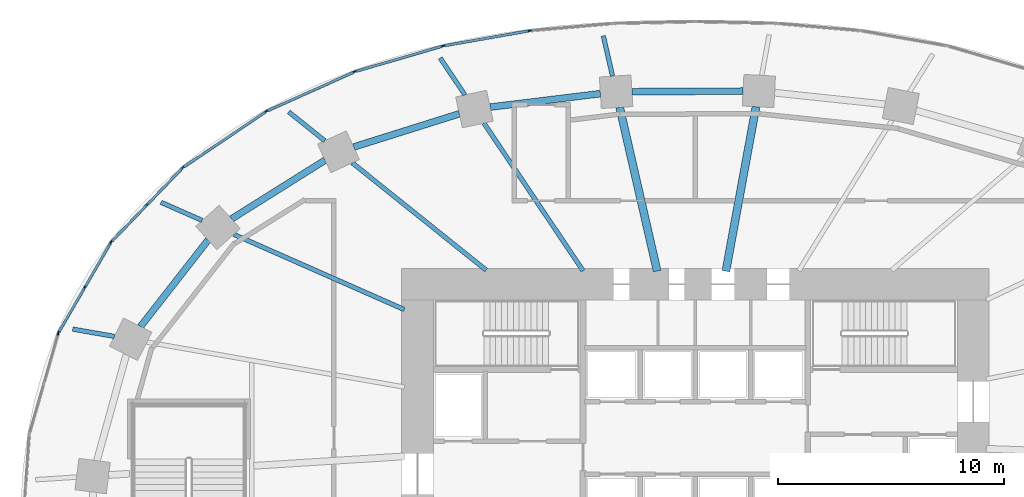
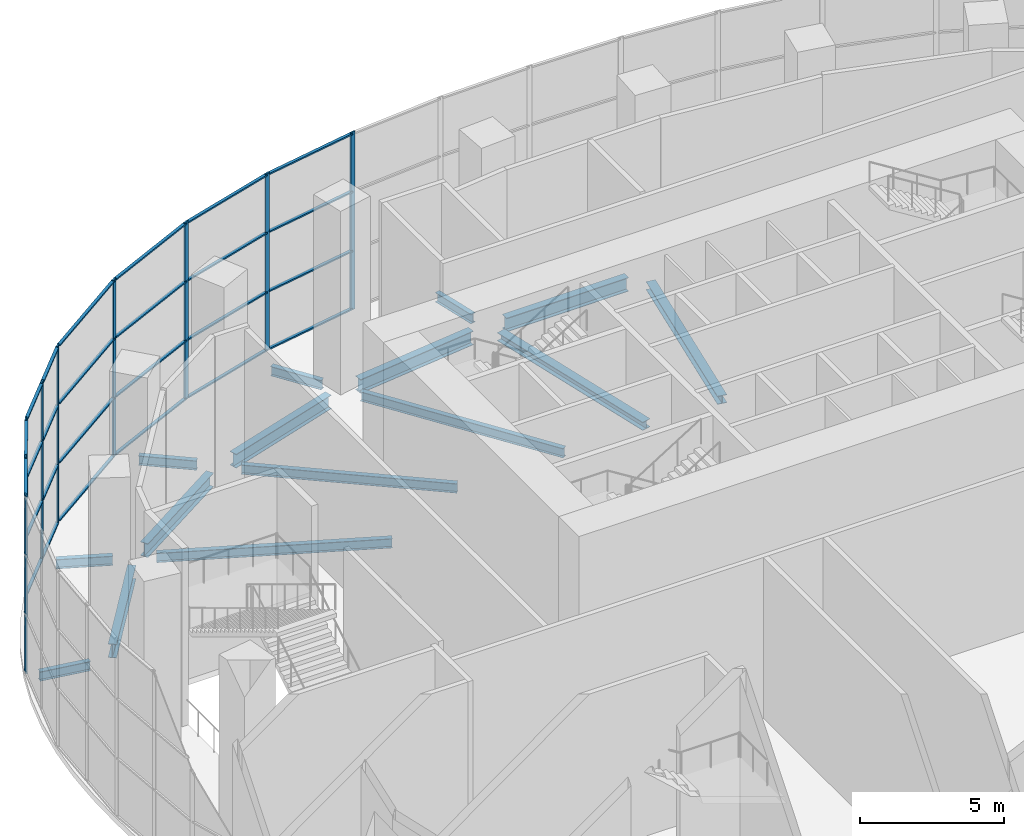
# One storey, part 7 of 22: 41 members, 15 beams, 7 elements without a shape of their own.
"""IFC4 building model written with IfcOpenShell, lengths in metres."""

from ifc_helpers import new_model, si_unit, direction, frame, origin, origin_2d, place, context, subcontext, project, spatial, rectangle, i_section, extrude, material, material_profile, profile_set, type_object, element, aggregate, save


model = new_model("IFC4")

# Units and contexts
model_context = context("Model", 3, precision=1e-05, world=origin(), true_north=direction((0.0, 1.0)))
body_context = subcontext(model_context, "Body", "Model", "MODEL_VIEW")
ifc_project = project(units=[si_unit("LENGTHUNIT", "METRE"), si_unit("AREAUNIT", "SQUARE_METRE"), si_unit("VOLUMEUNIT", "CUBIC_METRE"), si_unit("PLANEANGLEUNIT", "RADIAN"), si_unit("MASSUNIT", "GRAM", prefix="KILO")], contexts=[model_context])

# Site, building, storey
site_placement = place(None, origin())
site = spatial("IfcSite", under=ifc_project, at=site_placement, CompositionType="ELEMENT")
building_placement = place(site_placement, origin())
building = spatial("IfcBuilding", under=site, at=building_placement, Name="Rubra Terraces Tower", CompositionType="ELEMENT")
storey_placement = place(building_placement, frame((0.0, 0.0, 7.199951171875)))
storey = spatial("IfcBuildingStorey", under=building, at=storey_placement, Name="L01", CompositionType="ELEMENT", Elevation=7.199951171875)

# Beams
ifc_material_1 = material(Name="Steel Q355B", Category="steel")
ifc_material_profile_1 = material_profile(ifc_material_1, i_section(OverallWidth=0.199951171875, OverallDepth=0.39990234375, WebThickness=0.008056640625, FlangeThickness=0.012939453125, at=origin_2d()), Name="HN 400x200x8x13")
ifc_profile_set_1 = profile_set([ifc_material_profile_1], Name="Steel Q355B")
beam_type_1 = type_object("IfcBeamType", Name="CANTILEVER BEAM HN 400x200x8x13", PredefinedType="BEAM", material=ifc_profile_set_1)
beam_1_placement = place(storey_placement, frame((-3.6669921875, 20.514892578125, -0.449951171875), z_axis=(-0.223175715845, 0.974778231116, 0.0), x_axis=(-0.974778231116, -0.223175715845, 0.0)))
element("IfcBeam", 1, at=beam_1_placement, inside=storey, type_object=beam_type_1, Name="beam-L01-cant-07", PredefinedType="BEAM", context=body_context, shape_type="SweptSolid", body=[
    extrude(i_section(OverallWidth=0.199951171875, OverallDepth=0.39990234375, WebThickness=0.008056640625, FlangeThickness=0.012939453125, at=origin_2d()), origin(), (0.0, 0.0, 1.0), 1.832275390625),
])
beam_2_placement = place(storey_placement, frame((-10.199951171875, 19.68310546875, -0.449951171875), z_axis=(-0.557732327532, 0.830020873729, 0.0), x_axis=(-0.830020873729, -0.557732327532, 0.0)))
element("IfcBeam", 2, at=beam_2_placement, inside=storey, type_object=beam_type_1, Name="beam-L01-cant-08", PredefinedType="BEAM", context=body_context, shape_type="SweptSolid", body=[
    extrude(i_section(OverallWidth=0.199951171875, OverallDepth=0.39990234375, WebThickness=0.008056640625, FlangeThickness=0.012939453125, at=origin_2d()), origin(), (0.0, 0.0, 1.0), 1.96728515625),
])
beam_3_placement = place(storey_placement, frame((-16.408935546875, 17.654052734375, -0.449951171875), z_axis=(-0.780088162003, 0.625669608901, 0.0), x_axis=(-0.625669608901, -0.780088162003, 0.0)))
element("IfcBeam", 3, at=beam_3_placement, inside=storey, type_object=beam_type_1, Name="beam-L01-cant-09", PredefinedType="BEAM", context=body_context, shape_type="SweptSolid", body=[
    extrude(i_section(OverallWidth=0.199951171875, OverallDepth=0.39990234375, WebThickness=0.008056640625, FlangeThickness=0.012939453125, at=origin_2d()), origin(), (0.0, 0.0, 1.0), 2.0458984375),
])
beam_4_placement = place(storey_placement, frame((-21.8369140625, 14.1259765625, -0.449951171875), z_axis=(-0.914937817451, 0.403594834205, 0.0), x_axis=(-0.403594834205, -0.914937817451, 0.0)))
element("IfcBeam", 4, at=beam_4_placement, inside=storey, type_object=beam_type_1, Name="beam-L01-cant-10", PredefinedType="BEAM", context=body_context, shape_type="SweptSolid", body=[
    extrude(i_section(OverallWidth=0.199951171875, OverallDepth=0.39990234375, WebThickness=0.008056640625, FlangeThickness=0.012939453125, at=origin_2d()), origin(), (0.0, 0.0, 1.0), 1.987060546875),
])
beam_5_placement = place(storey_placement, frame((-25.722900390625, 8.991943359375, -0.449951171875), z_axis=(-0.985091859612, 0.172029149057, 0.0), x_axis=(-0.172029149057, -0.985091859612, 0.0)))
element("IfcBeam", 5, at=beam_5_placement, inside=storey, type_object=beam_type_1, Name="beam-L01-cant-11", PredefinedType="BEAM", context=body_context, shape_type="SweptSolid", body=[
    extrude(i_section(OverallWidth=0.199951171875, OverallDepth=0.39990234375, WebThickness=0.008056640625, FlangeThickness=0.012939453125, at=origin_2d()), origin(), (0.0, 0.0, 1.0), 1.871826171875),
])
ifc_material_profile_2 = material_profile(ifc_material_1, i_section(OverallWidth=0.199951171875, OverallDepth=0.39990234375, WebThickness=0.008056640625, FlangeThickness=0.012939453125, at=origin_2d()), Name="HN 400x200x8x13")
ifc_profile_set_2 = profile_set([ifc_material_profile_2], Name="Steel Q355B")
beam_type_2 = type_object("IfcBeamType", Name="FLOOR BEAM HN 400x200x8x13", PredefinedType="BEAM", material=ifc_profile_set_2)
beam_6_placement = place(storey_placement, frame((-9.360107421875, 18.43310546875, -0.449951171875), z_axis=(0.557574689395, -0.830126776912, 0.0), x_axis=(0.830126776912, 0.557574689395, 0.0)))
element("IfcBeam", 6, at=beam_6_placement, inside=storey, type_object=beam_type_2, Name="beam-L01-floor-08", PredefinedType="BEAM", context=body_context, shape_type="SweptSolid", body=[
    extrude(i_section(OverallWidth=0.199951171875, OverallDepth=0.39990234375, WebThickness=0.008056640625, FlangeThickness=0.012939453125, at=origin_2d()), origin(), (0.0, 0.0, 1.0), 7.8701171875),
])
beam_7_placement = place(storey_placement, frame((-15.18896484375, 16.676025390625, -0.449951171875), z_axis=(0.780266406942, -0.625447307291, 0.0), x_axis=(0.625447307291, 0.780266406942, 0.0)))
element("IfcBeam", 7, at=beam_7_placement, inside=storey, type_object=beam_type_2, Name="beam-L01-floor-09", PredefinedType="BEAM", context=body_context, shape_type="SweptSolid", body=[
    extrude(i_section(OverallWidth=0.199951171875, OverallDepth=0.39990234375, WebThickness=0.008056640625, FlangeThickness=0.012939453125, at=origin_2d()), origin(), (0.0, 0.0, 1.0), 7.59619140625),
])
beam_8_placement = place(storey_placement, frame((-20.43310546875, 13.508056640625, -0.449951171875), z_axis=(0.914994662209, -0.4034659442, 0.0), x_axis=(0.4034659442, 0.914994662209, 0.0)))
element("IfcBeam", 8, at=beam_8_placement, inside=storey, type_object=beam_type_2, Name="beam-L01-floor-10", PredefinedType="BEAM", context=body_context, shape_type="SweptSolid", body=[
    extrude(i_section(OverallWidth=0.199951171875, OverallDepth=0.39990234375, WebThickness=0.008056640625, FlangeThickness=0.012939453125, at=origin_2d()), origin(), (0.0, 0.0, 1.0), 8.243896484375),
])
ifc_material_profile_3 = material_profile(ifc_material_1, i_section(OverallWidth=0.35009765625, OverallDepth=0.35009765625, WebThickness=0.011962890625, FlangeThickness=0.01904296875, at=origin_2d()), Name="HW 350x350x12x19")
ifc_profile_set_3 = profile_set([ifc_material_profile_3], Name="Steel Q355B")
beam_type_3 = type_object("IfcBeamType", Name="FLOOR BEAM HW 350x350x12x19", PredefinedType="BEAM", material=ifc_profile_set_3)
beam_9_placement = place(storey_placement, frame((2.68408203125, 19.158935546875, -0.425048828125), z_axis=(-0.180186319425, -0.983632497578, 0.0), x_axis=(0.983632497578, -0.180186319425, 0.0)))
element("IfcBeam", 9, at=beam_9_placement, inside=storey, type_object=beam_type_3, Name="beam-L01-floor-06", PredefinedType="BEAM", context=body_context, shape_type="SweptSolid", body=[
    extrude(i_section(OverallWidth=0.35009765625, OverallDepth=0.35009765625, WebThickness=0.011962890625, FlangeThickness=0.01904296875, at=origin_2d()), origin(), (0.0, 0.0, 1.0), 7.39794921875),
])
beam_10_placement = place(storey_placement, frame((-3.35107421875, 19.133056640625, -0.425048828125), z_axis=(0.223209821828, -0.974770421914, 0.0), x_axis=(0.974770421914, 0.223209821828, 0.0)))
element("IfcBeam", 10, at=beam_10_placement, inside=storey, type_object=beam_type_3, Name="beam-L01-floor-07", PredefinedType="BEAM", context=body_context, shape_type="SweptSolid", body=[
    extrude(i_section(OverallWidth=0.35009765625, OverallDepth=0.35009765625, WebThickness=0.011962890625, FlangeThickness=0.01904296875, at=origin_2d()), origin(), (0.0, 0.0, 1.0), 7.437744140625),
])

# Curtain wall, member
ifc_material_2 = material(Name="Aluminium and glass", Category="aluminium")
curtain_wall_type = type_object("IfcCurtainWallType", Name="Curtain wall Podium glazing", PredefinedType="NOTDEFINED", material=ifc_material_2)
curtain_wall_1_placement = place(storey_placement, origin())
curtain_wall_1 = element("IfcCurtainWall", 11, at=curtain_wall_1_placement, inside=storey, type_object=curtain_wall_type, Name="L01 glazing bay 13", PredefinedType="NOTDEFINED")
ifc_material_3 = material(Name="Aluminium, anodised dark grey", Category="aluminium")
ifc_material_profile_4 = material_profile(ifc_material_3, rectangle(XDim=0.06005859375, YDim=0.199951171875, at=origin_2d()), Name="AL 60x200")
ifc_profile_set_4 = profile_set([ifc_material_profile_4], Name="Aluminium, anodised dark grey")
member_type_1 = type_object("IfcMemberType", Name="Podium glazing mullion 60 x 200", PredefinedType="MULLION", material=ifc_profile_set_4)
member_1_placement = place(storey_placement, frame((-7.359619140625, 22.52099609375, 0.0), z_axis=(0.0, 0.0, 1.0), x_axis=(0.172816985997, -0.984953952909, 0.0)))
member_1 = element("IfcMember", 12, at=member_1_placement, type_object=member_type_1, Name="CW1 mullion 1", PredefinedType="MULLION", context=body_context, shape_type="SweptSolid", body=[
    extrude(rectangle(XDim=0.06005859375, YDim=0.199951171875, at=origin_2d()), origin(), (0.0, 0.0, 1.0), 7.550048828125),
])

curtain_wall_2_placement = place(storey_placement, origin())
curtain_wall_2 = element("IfcCurtainWall", 13, at=curtain_wall_2_placement, inside=storey, type_object=curtain_wall_type, Name="L01 glazing bay 14", PredefinedType="NOTDEFINED")
member_2_placement = place(storey_placement, frame((-11.180908203125, 21.84765625, 0.0), z_axis=(0.0, 0.0, 1.0), x_axis=(0.279399200229, -0.96017502931, 0.0)))
member_2 = element("IfcMember", 14, at=member_2_placement, type_object=member_type_1, Name="CW1 mullion 1", PredefinedType="MULLION", context=body_context, shape_type="SweptSolid", body=[
    extrude(rectangle(XDim=0.06005859375, YDim=0.199951171875, at=origin_2d()), origin(), (0.0, 0.0, 1.0), 7.550048828125),
])

curtain_wall_3_placement = place(storey_placement, origin())
curtain_wall_3 = element("IfcCurtainWall", 15, at=curtain_wall_3_placement, inside=storey, type_object=curtain_wall_type, Name="L01 glazing bay 15", PredefinedType="NOTDEFINED")
member_3_placement = place(storey_placement, frame((-15.09765625, 20.704345703125, 0.0), z_axis=(0.0, 0.0, 1.0), x_axis=(0.4089624427, -0.912551215254, 0.0)))
member_3 = element("IfcMember", 16, at=member_3_placement, type_object=member_type_1, Name="CW1 mullion 1", PredefinedType="MULLION", context=body_context, shape_type="SweptSolid", body=[
    extrude(rectangle(XDim=0.06005859375, YDim=0.199951171875, at=origin_2d()), origin(), (0.0, 0.0, 1.0), 7.550048828125),
])

curtain_wall_4_placement = place(storey_placement, origin())
curtain_wall_4 = element("IfcCurtainWall", 17, at=curtain_wall_4_placement, inside=storey, type_object=curtain_wall_type, Name="L01 glazing bay 16", PredefinedType="NOTDEFINED")
member_4_placement = place(storey_placement, frame((-19.009033203125, 18.947021484375, 0.0), z_axis=(0.0, 0.0, 1.0), x_axis=(0.55927727939, -0.828980654031, 0.0)))
member_4 = element("IfcMember", 18, at=member_4_placement, type_object=member_type_1, Name="CW1 mullion 1", PredefinedType="MULLION", context=body_context, shape_type="SweptSolid", body=[
    extrude(rectangle(XDim=0.06005859375, YDim=0.199951171875, at=origin_2d()), origin(), (0.0, 0.0, 1.0), 7.550048828125),
])

# Curtain wall, members
curtain_wall_5_placement = place(storey_placement, origin())
curtain_wall_5 = element("IfcCurtainWall", 19, at=curtain_wall_5_placement, inside=storey, type_object=curtain_wall_type, Name="L01 glazing bay 17", PredefinedType="NOTDEFINED")
member_5_placement = place(storey_placement, frame((-22.705810546875, 16.447265625, 0.0), z_axis=(0.0, 0.0, 1.0), x_axis=(0.71982488517, -0.69415569917, 0.0)))
member_5 = element("IfcMember", 20, at=member_5_placement, type_object=member_type_1, Name="CW1 mullion 1", PredefinedType="MULLION", context=body_context, shape_type="SweptSolid", body=[
    extrude(rectangle(XDim=0.06005859375, YDim=0.199951171875, at=origin_2d()), origin(), (0.0, 0.0, 1.0), 7.550048828125),
])
member_6_placement = place(storey_placement, frame((-24.280517578125, 14.814453125, 0.0), z_axis=(0.0, 0.0, 1.0), x_axis=(0.71982488517, -0.69415569917, 0.0)))
member_6 = element("IfcMember", 21, at=member_6_placement, type_object=member_type_1, Name="CW1 mullion 2", PredefinedType="MULLION", context=body_context, shape_type="SweptSolid", body=[
    extrude(rectangle(XDim=0.06005859375, YDim=0.199951171875, at=origin_2d()), origin(), (0.0, 0.0, 1.0), 7.550048828125),
])

curtain_wall_6_placement = place(storey_placement, origin())
curtain_wall_6 = element("IfcCurtainWall", 22, at=curtain_wall_6_placement, inside=storey, type_object=curtain_wall_type, Name="L01 glazing bay 18", PredefinedType="NOTDEFINED")
member_7_placement = place(storey_placement, frame((-25.880126953125, 13.1484375, 0.0), z_axis=(0.0, 0.0, 1.0), x_axis=(0.864813011398, -0.502094070187, 0.0)))
member_7 = element("IfcMember", 23, at=member_7_placement, type_object=member_type_1, Name="CW1 mullion 1", PredefinedType="MULLION", context=body_context, shape_type="SweptSolid", body=[
    extrude(rectangle(XDim=0.06005859375, YDim=0.199951171875, at=origin_2d()), origin(), (0.0, 0.0, 1.0), 7.550048828125),
])
member_8_placement = place(storey_placement, frame((-27.0341796875, 11.160888671875, 0.0), z_axis=(0.0, 0.0, 1.0), x_axis=(0.864813011398, -0.502094070187, 0.0)))
member_8 = element("IfcMember", 24, at=member_8_placement, type_object=member_type_1, Name="CW1 mullion 2", PredefinedType="MULLION", context=body_context, shape_type="SweptSolid", body=[
    extrude(rectangle(XDim=0.06005859375, YDim=0.199951171875, at=origin_2d()), origin(), (0.0, 0.0, 1.0), 7.550048828125),
])

# Curtain wall, member
curtain_wall_7_placement = place(storey_placement, origin())
curtain_wall_7 = element("IfcCurtainWall", 25, at=curtain_wall_7_placement, inside=storey, type_object=curtain_wall_type, Name="L01 glazing bay 19", PredefinedType="NOTDEFINED")
member_9_placement = place(storey_placement, frame((-28.2041015625, 9.135498046875, 0.0), z_axis=(0.0, 0.0, 1.0), x_axis=(0.961047339404, -0.276383811798, 0.0)))
member_9 = element("IfcMember", 26, at=member_9_placement, type_object=member_type_1, Name="CW1 mullion 1", PredefinedType="MULLION", context=body_context, shape_type="SweptSolid", body=[
    extrude(rectangle(XDim=0.06005859375, YDim=0.199951171875, at=origin_2d()), origin(), (0.0, 0.0, 1.0), 7.550048828125),
])
aggregate(curtain_wall_7, [member_9])

# Member
ifc_material_profile_5 = material_profile(ifc_material_3, rectangle(XDim=0.1201171875, YDim=0.06005859375, at=origin_2d()), Name="AL 120x60")
ifc_profile_set_5 = profile_set([ifc_material_profile_5], Name="Aluminium, anodised dark grey")
member_type_2 = type_object("IfcMemberType", Name="Podium glazing transom 120 x 60", PredefinedType="USERDEFINED", material=ifc_profile_set_5)
member_10_placement = place(storey_placement, frame((-7.38916015625, 22.515625, 0.06005859375), z_axis=(-0.984959152546, -0.172787348539, 0.0), x_axis=(0.172787348539, -0.984959152546, 0.0)))
member_10 = element("IfcMember", 27, at=member_10_placement, type_object=member_type_2, Name="CW1 transom 1.1", ObjectType="TRANSOM", PredefinedType="USERDEFINED", context=body_context, shape_type="SweptSolid", body=[
    extrude(rectangle(XDim=0.1201171875, YDim=0.06005859375, at=origin_2d()), origin(), (0.0, 0.0, 1.0), 3.768310546875),
])

member_11_placement = place(storey_placement, frame((-7.38916015625, 22.515625, 2.516845703125), z_axis=(-0.984959152546, -0.172787348539, 0.0), x_axis=(0.172787348539, -0.984959152546, 0.0)))
member_11 = element("IfcMember", 28, at=member_11_placement, type_object=member_type_2, Name="CW1 transom 1.2", ObjectType="TRANSOM", PredefinedType="USERDEFINED", context=body_context, shape_type="SweptSolid", body=[
    extrude(rectangle(XDim=0.1201171875, YDim=0.06005859375, at=origin_2d()), origin(), (0.0, 0.0, 1.0), 3.768310546875),
])

member_12_placement = place(storey_placement, frame((-7.38916015625, 22.515625, 5.033447265625), z_axis=(-0.984959152546, -0.172787348539, 0.0), x_axis=(0.172787348539, -0.984959152546, 0.0)))
member_12 = element("IfcMember", 29, at=member_12_placement, type_object=member_type_2, Name="CW1 transom 1.3", ObjectType="TRANSOM", PredefinedType="USERDEFINED", context=body_context, shape_type="SweptSolid", body=[
    extrude(rectangle(XDim=0.1201171875, YDim=0.06005859375, at=origin_2d()), origin(), (0.0, 0.0, 1.0), 3.768310546875),
])

member_13_placement = place(storey_placement, frame((-7.38916015625, 22.515625, 7.489990234375), z_axis=(-0.984959152546, -0.172787348539, 0.0), x_axis=(0.172787348539, -0.984959152546, 0.0)))
member_13 = element("IfcMember", 30, at=member_13_placement, type_object=member_type_2, Name="CW1 transom 1.4", ObjectType="TRANSOM", PredefinedType="USERDEFINED", context=body_context, shape_type="SweptSolid", body=[
    extrude(rectangle(XDim=0.1201171875, YDim=0.06005859375, at=origin_2d()), origin(), (0.0, 0.0, 1.0), 3.768310546875),
])

aggregate(curtain_wall_1, [member_1, member_10, member_11, member_12, member_13])

member_14_placement = place(storey_placement, frame((-11.209716796875, 21.83935546875, 0.06005859375), z_axis=(-0.960164409194, -0.279435694422, 0.0), x_axis=(0.279435694422, -0.960164409194, 0.0)))
member_14 = element("IfcMember", 31, at=member_14_placement, type_object=member_type_2, Name="CW1 transom 1.1", ObjectType="TRANSOM", PredefinedType="USERDEFINED", context=body_context, shape_type="SweptSolid", body=[
    extrude(rectangle(XDim=0.1201171875, YDim=0.06005859375, at=origin_2d()), origin(), (0.0, 0.0, 1.0), 3.970947265625),
])

member_15_placement = place(storey_placement, frame((-11.209716796875, 21.83935546875, 2.516845703125), z_axis=(-0.960164409194, -0.279435694422, 0.0), x_axis=(0.279435694422, -0.960164409194, 0.0)))
member_15 = element("IfcMember", 32, at=member_15_placement, type_object=member_type_2, Name="CW1 transom 1.2", ObjectType="TRANSOM", PredefinedType="USERDEFINED", context=body_context, shape_type="SweptSolid", body=[
    extrude(rectangle(XDim=0.1201171875, YDim=0.06005859375, at=origin_2d()), origin(), (0.0, 0.0, 1.0), 3.970947265625),
])

member_16_placement = place(storey_placement, frame((-11.209716796875, 21.83935546875, 5.033447265625), z_axis=(-0.960164409194, -0.279435694422, 0.0), x_axis=(0.279435694422, -0.960164409194, 0.0)))
member_16 = element("IfcMember", 33, at=member_16_placement, type_object=member_type_2, Name="CW1 transom 1.3", ObjectType="TRANSOM", PredefinedType="USERDEFINED", context=body_context, shape_type="SweptSolid", body=[
    extrude(rectangle(XDim=0.1201171875, YDim=0.06005859375, at=origin_2d()), origin(), (0.0, 0.0, 1.0), 3.970947265625),
])

member_17_placement = place(storey_placement, frame((-11.209716796875, 21.83935546875, 7.489990234375), z_axis=(-0.960164409194, -0.279435694422, 0.0), x_axis=(0.279435694422, -0.960164409194, 0.0)))
member_17 = element("IfcMember", 34, at=member_17_placement, type_object=member_type_2, Name="CW1 transom 1.4", ObjectType="TRANSOM", PredefinedType="USERDEFINED", context=body_context, shape_type="SweptSolid", body=[
    extrude(rectangle(XDim=0.1201171875, YDim=0.06005859375, at=origin_2d()), origin(), (0.0, 0.0, 1.0), 3.970947265625),
])

aggregate(curtain_wall_2, [member_2, member_14, member_15, member_16, member_17])

member_18_placement = place(storey_placement, frame((-15.125, 20.692138671875, 0.06005859375), z_axis=(-0.912545396627, -0.408975426029, 0.0), x_axis=(0.408975426029, -0.912545396627, 0.0)))
member_18 = element("IfcMember", 35, at=member_18_placement, type_object=member_type_2, Name="CW1 transom 1.1", ObjectType="TRANSOM", PredefinedType="USERDEFINED", context=body_context, shape_type="SweptSolid", body=[
    extrude(rectangle(XDim=0.1201171875, YDim=0.06005859375, at=origin_2d()), origin(), (0.0, 0.0, 1.0), 4.18115234375),
])

member_19_placement = place(storey_placement, frame((-15.125, 20.692138671875, 2.516845703125), z_axis=(-0.912545396627, -0.408975426029, 0.0), x_axis=(0.408975426029, -0.912545396627, 0.0)))
member_19 = element("IfcMember", 36, at=member_19_placement, type_object=member_type_2, Name="CW1 transom 1.2", ObjectType="TRANSOM", PredefinedType="USERDEFINED", context=body_context, shape_type="SweptSolid", body=[
    extrude(rectangle(XDim=0.1201171875, YDim=0.06005859375, at=origin_2d()), origin(), (0.0, 0.0, 1.0), 4.18115234375),
])

member_20_placement = place(storey_placement, frame((-15.125, 20.692138671875, 5.033447265625), z_axis=(-0.912545396627, -0.408975426029, 0.0), x_axis=(0.408975426029, -0.912545396627, 0.0)))
member_20 = element("IfcMember", 37, at=member_20_placement, type_object=member_type_2, Name="CW1 transom 1.3", ObjectType="TRANSOM", PredefinedType="USERDEFINED", context=body_context, shape_type="SweptSolid", body=[
    extrude(rectangle(XDim=0.1201171875, YDim=0.06005859375, at=origin_2d()), origin(), (0.0, 0.0, 1.0), 4.18115234375),
])

member_21_placement = place(storey_placement, frame((-15.125, 20.692138671875, 7.489990234375), z_axis=(-0.912545396627, -0.408975426029, 0.0), x_axis=(0.408975426029, -0.912545396627, 0.0)))
member_21 = element("IfcMember", 38, at=member_21_placement, type_object=member_type_2, Name="CW1 transom 1.4", ObjectType="TRANSOM", PredefinedType="USERDEFINED", context=body_context, shape_type="SweptSolid", body=[
    extrude(rectangle(XDim=0.1201171875, YDim=0.06005859375, at=origin_2d()), origin(), (0.0, 0.0, 1.0), 4.18115234375),
])

aggregate(curtain_wall_3, [member_3, member_18, member_19, member_20, member_21])

member_22_placement = place(storey_placement, frame((-19.033935546875, 18.93017578125, 0.06005859375), z_axis=(-0.828996039897, -0.559254473236, 0.0), x_axis=(0.559254473236, -0.828996039897, 0.0)))
member_22 = element("IfcMember", 39, at=member_22_placement, type_object=member_type_2, Name="CW1 transom 1.1", ObjectType="TRANSOM", PredefinedType="USERDEFINED", context=body_context, shape_type="SweptSolid", body=[
    extrude(rectangle(XDim=0.1201171875, YDim=0.06005859375, at=origin_2d()), origin(), (0.0, 0.0, 1.0), 4.35888671875),
])

member_23_placement = place(storey_placement, frame((-19.033935546875, 18.93017578125, 2.516845703125), z_axis=(-0.828996039897, -0.559254473236, 0.0), x_axis=(0.559254473236, -0.828996039897, 0.0)))
member_23 = element("IfcMember", 40, at=member_23_placement, type_object=member_type_2, Name="CW1 transom 1.2", ObjectType="TRANSOM", PredefinedType="USERDEFINED", context=body_context, shape_type="SweptSolid", body=[
    extrude(rectangle(XDim=0.1201171875, YDim=0.06005859375, at=origin_2d()), origin(), (0.0, 0.0, 1.0), 4.35888671875),
])

member_24_placement = place(storey_placement, frame((-19.033935546875, 18.93017578125, 5.033447265625), z_axis=(-0.828996039897, -0.559254473236, 0.0), x_axis=(0.559254473236, -0.828996039897, 0.0)))
member_24 = element("IfcMember", 41, at=member_24_placement, type_object=member_type_2, Name="CW1 transom 1.3", ObjectType="TRANSOM", PredefinedType="USERDEFINED", context=body_context, shape_type="SweptSolid", body=[
    extrude(rectangle(XDim=0.1201171875, YDim=0.06005859375, at=origin_2d()), origin(), (0.0, 0.0, 1.0), 4.35888671875),
])

member_25_placement = place(storey_placement, frame((-19.033935546875, 18.93017578125, 7.489990234375), z_axis=(-0.828996039897, -0.559254473236, 0.0), x_axis=(0.559254473236, -0.828996039897, 0.0)))
member_25 = element("IfcMember", 42, at=member_25_placement, type_object=member_type_2, Name="CW1 transom 1.4", ObjectType="TRANSOM", PredefinedType="USERDEFINED", context=body_context, shape_type="SweptSolid", body=[
    extrude(rectangle(XDim=0.1201171875, YDim=0.06005859375, at=origin_2d()), origin(), (0.0, 0.0, 1.0), 4.35888671875),
])

aggregate(curtain_wall_4, [member_4, member_22, member_23, member_24, member_25])

member_26_placement = place(storey_placement, frame((-22.7265625, 16.42578125, 0.06005859375), z_axis=(-0.694168299732, -0.719812733735, 0.0), x_axis=(0.719812733735, -0.694168299732, 0.0)))
member_26 = element("IfcMember", 43, at=member_26_placement, type_object=member_type_2, Name="CW1 transom 1.1", ObjectType="TRANSOM", PredefinedType="USERDEFINED", context=body_context, shape_type="SweptSolid", body=[
    extrude(rectangle(XDim=0.1201171875, YDim=0.06005859375, at=origin_2d()), origin(), (0.0, 0.0, 1.0), 2.208740234375),
])

member_27_placement = place(storey_placement, frame((-22.7265625, 16.42578125, 2.516845703125), z_axis=(-0.694168299732, -0.719812733735, 0.0), x_axis=(0.719812733735, -0.694168299732, 0.0)))
member_27 = element("IfcMember", 44, at=member_27_placement, type_object=member_type_2, Name="CW1 transom 1.2", ObjectType="TRANSOM", PredefinedType="USERDEFINED", context=body_context, shape_type="SweptSolid", body=[
    extrude(rectangle(XDim=0.1201171875, YDim=0.06005859375, at=origin_2d()), origin(), (0.0, 0.0, 1.0), 2.208740234375),
])

member_28_placement = place(storey_placement, frame((-22.7265625, 16.42578125, 5.033447265625), z_axis=(-0.694168299732, -0.719812733735, 0.0), x_axis=(0.719812733735, -0.694168299732, 0.0)))
member_28 = element("IfcMember", 45, at=member_28_placement, type_object=member_type_2, Name="CW1 transom 1.3", ObjectType="TRANSOM", PredefinedType="USERDEFINED", context=body_context, shape_type="SweptSolid", body=[
    extrude(rectangle(XDim=0.1201171875, YDim=0.06005859375, at=origin_2d()), origin(), (0.0, 0.0, 1.0), 2.208740234375),
])

member_29_placement = place(storey_placement, frame((-22.7265625, 16.42578125, 7.489990234375), z_axis=(-0.694168299732, -0.719812733735, 0.0), x_axis=(0.719812733735, -0.694168299732, 0.0)))
member_29 = element("IfcMember", 46, at=member_29_placement, type_object=member_type_2, Name="CW1 transom 1.4", ObjectType="TRANSOM", PredefinedType="USERDEFINED", context=body_context, shape_type="SweptSolid", body=[
    extrude(rectangle(XDim=0.1201171875, YDim=0.06005859375, at=origin_2d()), origin(), (0.0, 0.0, 1.0), 2.208740234375),
])

member_30_placement = place(storey_placement, frame((-24.30126953125, 14.792724609375, 0.06005859375), z_axis=(-0.694223533913, -0.719759463266, 0.0), x_axis=(0.719759463266, -0.694223533913, 0.0)))
member_30 = element("IfcMember", 47, at=member_30_placement, type_object=member_type_2, Name="CW1 transom 2.1", ObjectType="TRANSOM", PredefinedType="USERDEFINED", context=body_context, shape_type="SweptSolid", body=[
    extrude(rectangle(XDim=0.1201171875, YDim=0.06005859375, at=origin_2d()), origin(), (0.0, 0.0, 1.0), 2.20849609375),
])

member_31_placement = place(storey_placement, frame((-24.30126953125, 14.792724609375, 2.516845703125), z_axis=(-0.694223533913, -0.719759463266, 0.0), x_axis=(0.719759463266, -0.694223533913, 0.0)))
member_31 = element("IfcMember", 48, at=member_31_placement, type_object=member_type_2, Name="CW1 transom 2.2", ObjectType="TRANSOM", PredefinedType="USERDEFINED", context=body_context, shape_type="SweptSolid", body=[
    extrude(rectangle(XDim=0.1201171875, YDim=0.06005859375, at=origin_2d()), origin(), (0.0, 0.0, 1.0), 2.20849609375),
])

member_32_placement = place(storey_placement, frame((-24.30126953125, 14.792724609375, 5.033447265625), z_axis=(-0.694223533913, -0.719759463266, 0.0), x_axis=(0.719759463266, -0.694223533913, 0.0)))
member_32 = element("IfcMember", 49, at=member_32_placement, type_object=member_type_2, Name="CW1 transom 2.3", ObjectType="TRANSOM", PredefinedType="USERDEFINED", context=body_context, shape_type="SweptSolid", body=[
    extrude(rectangle(XDim=0.1201171875, YDim=0.06005859375, at=origin_2d()), origin(), (0.0, 0.0, 1.0), 2.20849609375),
])

member_33_placement = place(storey_placement, frame((-24.30126953125, 14.792724609375, 7.489990234375), z_axis=(-0.694223533913, -0.719759463266, 0.0), x_axis=(0.719759463266, -0.694223533913, 0.0)))
member_33 = element("IfcMember", 50, at=member_33_placement, type_object=member_type_2, Name="CW1 transom 2.4", ObjectType="TRANSOM", PredefinedType="USERDEFINED", context=body_context, shape_type="SweptSolid", body=[
    extrude(rectangle(XDim=0.1201171875, YDim=0.06005859375, at=origin_2d()), origin(), (0.0, 0.0, 1.0), 2.20849609375),
])

aggregate(curtain_wall_5, [member_5, member_6, member_26, member_27, member_28, member_29, member_30, member_31, member_32, member_33])

member_34_placement = place(storey_placement, frame((-25.895263671875, 13.122314453125, 0.06005859375), z_axis=(-0.502106569931, -0.864805754162, 0.0), x_axis=(0.864805754162, -0.502106569931, 0.0)))
member_34 = element("IfcMember", 51, at=member_34_placement, type_object=member_type_2, Name="CW1 transom 1.1", ObjectType="TRANSOM", PredefinedType="USERDEFINED", context=body_context, shape_type="SweptSolid", body=[
    extrude(rectangle(XDim=0.1201171875, YDim=0.06005859375, at=origin_2d()), origin(), (0.0, 0.0, 1.0), 2.238037109375),
])

member_35_placement = place(storey_placement, frame((-25.895263671875, 13.122314453125, 2.516845703125), z_axis=(-0.502106569931, -0.864805754162, 0.0), x_axis=(0.864805754162, -0.502106569931, 0.0)))
member_35 = element("IfcMember", 52, at=member_35_placement, type_object=member_type_2, Name="CW1 transom 1.2", ObjectType="TRANSOM", PredefinedType="USERDEFINED", context=body_context, shape_type="SweptSolid", body=[
    extrude(rectangle(XDim=0.1201171875, YDim=0.06005859375, at=origin_2d()), origin(), (0.0, 0.0, 1.0), 2.238037109375),
])

member_36_placement = place(storey_placement, frame((-25.895263671875, 13.122314453125, 5.033447265625), z_axis=(-0.502106569931, -0.864805754162, 0.0), x_axis=(0.864805754162, -0.502106569931, 0.0)))
member_36 = element("IfcMember", 53, at=member_36_placement, type_object=member_type_2, Name="CW1 transom 1.3", ObjectType="TRANSOM", PredefinedType="USERDEFINED", context=body_context, shape_type="SweptSolid", body=[
    extrude(rectangle(XDim=0.1201171875, YDim=0.06005859375, at=origin_2d()), origin(), (0.0, 0.0, 1.0), 2.238037109375),
])

member_37_placement = place(storey_placement, frame((-25.895263671875, 13.122314453125, 7.489990234375), z_axis=(-0.502106569931, -0.864805754162, 0.0), x_axis=(0.864805754162, -0.502106569931, 0.0)))
member_37 = element("IfcMember", 54, at=member_37_placement, type_object=member_type_2, Name="CW1 transom 1.4", ObjectType="TRANSOM", PredefinedType="USERDEFINED", context=body_context, shape_type="SweptSolid", body=[
    extrude(rectangle(XDim=0.1201171875, YDim=0.06005859375, at=origin_2d()), origin(), (0.0, 0.0, 1.0), 2.238037109375),
])

member_38_placement = place(storey_placement, frame((-27.049072265625, 11.134765625, 0.06005859375), z_axis=(-0.5021881448, -0.864758386616, 0.0), x_axis=(0.864758386616, -0.5021881448, 0.0)))
member_38 = element("IfcMember", 55, at=member_38_placement, type_object=member_type_2, Name="CW1 transom 2.1", ObjectType="TRANSOM", PredefinedType="USERDEFINED", context=body_context, shape_type="SweptSolid", body=[
    extrude(rectangle(XDim=0.1201171875, YDim=0.06005859375, at=origin_2d()), origin(), (0.0, 0.0, 1.0), 2.23828125),
])

member_39_placement = place(storey_placement, frame((-27.049072265625, 11.134765625, 2.516845703125), z_axis=(-0.5021881448, -0.864758386616, 0.0), x_axis=(0.864758386616, -0.5021881448, 0.0)))
member_39 = element("IfcMember", 56, at=member_39_placement, type_object=member_type_2, Name="CW1 transom 2.2", ObjectType="TRANSOM", PredefinedType="USERDEFINED", context=body_context, shape_type="SweptSolid", body=[
    extrude(rectangle(XDim=0.1201171875, YDim=0.06005859375, at=origin_2d()), origin(), (0.0, 0.0, 1.0), 2.23828125),
])

member_40_placement = place(storey_placement, frame((-27.049072265625, 11.134765625, 5.033447265625), z_axis=(-0.5021881448, -0.864758386616, 0.0), x_axis=(0.864758386616, -0.5021881448, 0.0)))
member_40 = element("IfcMember", 57, at=member_40_placement, type_object=member_type_2, Name="CW1 transom 2.3", ObjectType="TRANSOM", PredefinedType="USERDEFINED", context=body_context, shape_type="SweptSolid", body=[
    extrude(rectangle(XDim=0.1201171875, YDim=0.06005859375, at=origin_2d()), origin(), (0.0, 0.0, 1.0), 2.23828125),
])

member_41_placement = place(storey_placement, frame((-27.049072265625, 11.134765625, 7.489990234375), z_axis=(-0.5021881448, -0.864758386616, 0.0), x_axis=(0.864758386616, -0.5021881448, 0.0)))
member_41 = element("IfcMember", 58, at=member_41_placement, type_object=member_type_2, Name="CW1 transom 2.4", ObjectType="TRANSOM", PredefinedType="USERDEFINED", context=body_context, shape_type="SweptSolid", body=[
    extrude(rectangle(XDim=0.1201171875, YDim=0.06005859375, at=origin_2d()), origin(), (0.0, 0.0, 1.0), 2.23828125),
])

aggregate(curtain_wall_6, [member_7, member_8, member_34, member_35, member_36, member_37, member_38, member_39, member_40, member_41])

# Beams
ifc_material_profile_6 = material_profile(ifc_material_1, i_section(OverallWidth=0.300048828125, OverallDepth=0.587890625, WebThickness=0.011962890625, FlangeThickness=0.02001953125, at=origin_2d()), Name="HM 588x300x12x20")
ifc_profile_set_6 = profile_set([ifc_material_profile_6], Name="Steel Q355B")
beam_type_4 = type_object("IfcBeamType", Name="SPANDREL BEAM HM 588x300x12x20", PredefinedType="SPANDREL", material=ifc_profile_set_6)
beam_11_placement = place(storey_placement, frame((2.110107421875, 19.85107421875, -0.5439453125), z_axis=(-0.999987924698, -0.004914311469, 0.0), x_axis=(0.004914311469, -0.999987924698, 0.0)))
element("IfcBeam", 59, at=beam_11_placement, inside=storey, type_object=beam_type_4, Name="beam-L01-spandrel-06", PredefinedType="SPANDREL", context=body_context, shape_type="SweptSolid", body=[
    extrude(i_section(OverallWidth=0.300048828125, OverallDepth=0.587890625, WebThickness=0.011962890625, FlangeThickness=0.02001953125, at=origin_2d()), origin(), (0.0, 0.0, 1.0), 4.918212890625),
])
beam_12_placement = place(storey_placement, frame((-4.205078125, 19.739013671875, -0.5439453125), z_axis=(-0.992616576014, -0.12129440639, 0.0), x_axis=(0.12129440639, -0.992616576014, 0.0)))
element("IfcBeam", 60, at=beam_12_placement, inside=storey, type_object=beam_type_4, Name="beam-L01-spandrel-07", PredefinedType="SPANDREL", context=body_context, shape_type="SweptSolid", body=[
    extrude(i_section(OverallWidth=0.300048828125, OverallDepth=0.587890625, WebThickness=0.011962890625, FlangeThickness=0.02001953125, at=origin_2d()), origin(), (0.0, 0.0, 1.0), 4.913330078125),
])
beam_13_placement = place(storey_placement, frame((-10.450927734375, 18.846923828125, -0.5439453125), z_axis=(-0.953954624663, -0.299950952796, 0.0), x_axis=(0.299950952796, -0.953954624663, 0.0)))
element("IfcBeam", 61, at=beam_13_placement, inside=storey, type_object=beam_type_4, Name="beam-L01-spandrel-08", PredefinedType="SPANDREL", context=body_context, shape_type="SweptSolid", body=[
    extrude(i_section(OverallWidth=0.300048828125, OverallDepth=0.587890625, WebThickness=0.011962890625, FlangeThickness=0.02001953125, at=origin_2d()), origin(), (0.0, 0.0, 1.0), 4.900634765625),
])
beam_14_placement = place(storey_placement, frame((-16.39697265625, 16.7900390625, -0.5439453125), z_axis=(-0.847078460197, -0.531467856291, 0.0), x_axis=(0.531467856291, -0.847078460197, 0.0)))
element("IfcBeam", 62, at=beam_14_placement, inside=storey, type_object=beam_type_4, Name="beam-L01-spandrel-09", PredefinedType="SPANDREL", context=body_context, shape_type="SweptSolid", body=[
    extrude(i_section(OverallWidth=0.300048828125, OverallDepth=0.587890625, WebThickness=0.011962890625, FlangeThickness=0.02001953125, at=origin_2d()), origin(), (0.0, 0.0, 1.0), 4.882568359375),
])
beam_15_placement = place(storey_placement, frame((-21.572998046875, 13.257080078125, -0.5439453125), z_axis=(-0.615577734286, -0.788076172112, 0.0), x_axis=(0.788076172112, -0.615577734286, 0.0)))
element("IfcBeam", 63, at=beam_15_placement, inside=storey, type_object=beam_type_4, Name="beam-L01-spandrel-10", PredefinedType="SPANDREL", context=body_context, shape_type="SweptSolid", body=[
    extrude(i_section(OverallWidth=0.300048828125, OverallDepth=0.587890625, WebThickness=0.011962890625, FlangeThickness=0.02001953125, at=origin_2d()), origin(), (0.0, 0.0, 1.0), 4.85888671875),
])

save(model, "model.ifc")
